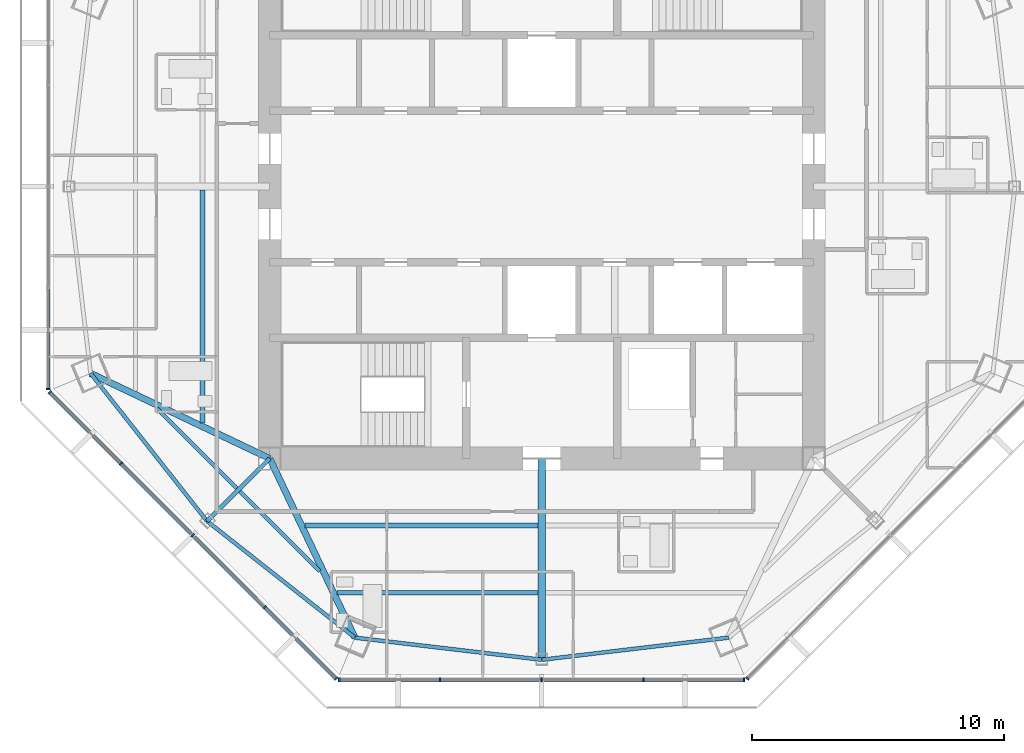
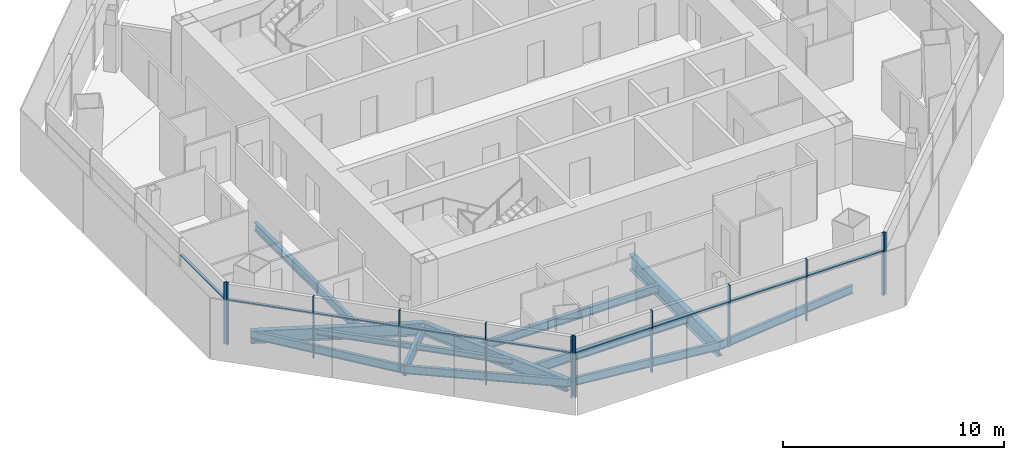
# One storey, part 2 of 15: 21 members, 13 beams, 4 elements without a shape of their own.
"""IFC4 building model written with IfcOpenShell, lengths in metres."""

from ifc_helpers import new_model, si_unit, direction, frame, origin, origin_2d, place, context, subcontext, project, spatial, rectangle, i_section, extrude, source, transform, mapped, material, material_profile, profile_set, type_object, type_shapes, element, aggregate, save


model = new_model("IFC4")

# Units and contexts
model_context = context("Model", 3, precision=1e-05, world=origin(), true_north=direction((0.0, 1.0)))
body_context = subcontext(model_context, "Body", "Model", "MODEL_VIEW")
ifc_project = project(units=[si_unit("LENGTHUNIT", "METRE"), si_unit("AREAUNIT", "SQUARE_METRE"), si_unit("VOLUMEUNIT", "CUBIC_METRE"), si_unit("PLANEANGLEUNIT", "RADIAN"), si_unit("MASSUNIT", "GRAM", prefix="KILO")], contexts=[model_context])

# Site, building, storey
site_placement = place(None, origin())
site = spatial("IfcSite", under=ifc_project, at=site_placement, CompositionType="ELEMENT")
building_placement = place(site_placement, origin())
building = spatial("IfcBuilding", under=site, at=building_placement, Name="Mashrafa Tower", CompositionType="ELEMENT")
storey_placement = place(building_placement, frame((0.0, 0.0, 298.0)))
storey = spatial("IfcBuildingStorey", under=building, at=storey_placement, Name="L73", CompositionType="ELEMENT", Elevation=298.0)

# Beams
ifc_material_1 = material(Name="Steel ASTM A992", Category="steel")
ifc_material_profile_1 = material_profile(ifc_material_1, i_section(OverallWidth=0.164794921875, OverallDepth=0.309814453125, WebThickness=0.005859375, FlangeThickness=0.009765625, FilletRadius=0.007568359375, at=origin_2d()), Name="W12X26")
ifc_profile_set_1 = profile_set([ifc_material_profile_1], Name="Steel ASTM A992")
beam_type_1 = type_object("IfcBeamType", Name="Beam W12X26", PredefinedType="BEAM", material=ifc_profile_set_1)
for number, where, z_axis, x_axis, name in (
    (1, (-12.1064453125, -11.98046875, -0.35498046875), (-0.707079486616, 0.707134074703, 0.0), (-0.707134074703, -0.707079486616, 0.0), "Floor beam L73 006"),
    (2, (-8.81787109375, -15.268798828125, -0.35498046875), (-0.707134074703, 0.707079486616, 0.0), (-0.707079486616, -0.707134074703, 0.0), "Floor beam L73 009"),
):
    element("IfcBeam", number, at=place(storey_placement, frame(where, z_axis=z_axis, x_axis=x_axis)), inside=storey, type_object=beam_type_1, Name=name, PredefinedType="BEAM", context=body_context, shape_type="SweptSolid", body=[
        extrude(i_section(OverallWidth=0.164794921875, OverallDepth=0.309814453125, WebThickness=0.005859375, FlangeThickness=0.009765625, FilletRadius=0.007568359375, at=origin_2d()), origin(), (0.0, 0.0, 1.0), 4.472412109375),
    ])
ifc_material_2 = material(Name="Steel ASTM A992", Category="steel")
ifc_material_profile_2 = material_profile(ifc_material_2, i_section(OverallWidth=0.15234375, OverallDepth=0.449462890625, WebThickness=0.007568359375, FlangeThickness=0.0107421875, FilletRadius=0.01025390625, at=origin_2d()), Name="W18X35")
ifc_profile_set_2 = profile_set([ifc_material_profile_2], Name="Steel ASTM A992")
beam_type_2 = type_object("IfcBeamType", Name="Beam W18X35", PredefinedType="BEAM", material=ifc_profile_set_2)
for number, where, z_axis, x_axis, name in (
    (3, (-17.912109375, -7.41943359375, -0.4248046875), (0.619071991885, -0.785334240221, 0.0), (0.785334240221, 0.619071991885, 0.0), "Spandrel beam L73 042"),
    (4, (-13.286865234375, -13.286865234375, -0.4248046875), (0.785334240221, -0.619071991885, 0.0), (0.619071991885, 0.785334240221, 0.0), "Spandrel beam L73 044"),
    (5, (-7.41943359375, -17.912109375, -0.4248046875), (0.993068050855, -0.117540828527, 0.0), (0.117540828527, 0.993068050855, 0.0), "Spandrel beam L73 046"),
    (6, (0.0, -18.790283203125, -0.4248046875), (0.993068050855, 0.117540828527, 0.0), (-0.117540828527, 0.993068050855, 0.0), "Spandrel beam L73 048"),
):
    element("IfcBeam", number, at=place(storey_placement, frame(where, z_axis=z_axis, x_axis=x_axis)), inside=storey, type_object=beam_type_2, Name=name, PredefinedType="BEAM", context=body_context, shape_type="SweptSolid", body=[
        extrude(i_section(OverallWidth=0.15234375, OverallDepth=0.449462890625, WebThickness=0.007568359375, FlangeThickness=0.0107421875, FilletRadius=0.01025390625, at=origin_2d()), origin(), (0.0, 0.0, 1.0), 7.47119140625),
    ])
ifc_material_3 = material(Name="Steel ASTM A992", Category="steel")
ifc_material_profile_3 = material_profile(ifc_material_3, i_section(OverallWidth=0.191162109375, OverallDepth=0.459716796875, WebThickness=0.010009765625, FlangeThickness=0.01611328125, FilletRadius=0.01025390625, at=origin_2d()), Name="W18X55")
ifc_profile_set_3 = profile_set([ifc_material_profile_3], Name="Steel ASTM A992")
beam_type_3 = type_object("IfcBeamType", Name="Beam W18X55", PredefinedType="BEAM", material=ifc_profile_set_3)
for number, where, z_axis, x_axis, name in (
    (7, (-13.46337890625, -9.39208984375, -0.429931640625), (0.0, 1.0, 0.0), (-1.0, 0.0, 0.0), "Floor beam L73 004"),
    (8, (-0.14599609375, -13.46337890625, -0.429931640625), (-1.0, 0.0, 0.0), (0.0, -1.0, 0.0), "Floor beam L73 012"),
):
    element("IfcBeam", number, at=place(storey_placement, frame(where, z_axis=z_axis, x_axis=x_axis)), inside=storey, type_object=beam_type_3, Name=name, PredefinedType="BEAM", context=body_context, shape_type="SweptSolid", body=[
        extrude(i_section(OverallWidth=0.191162109375, OverallDepth=0.459716796875, WebThickness=0.010009765625, FlangeThickness=0.01611328125, FilletRadius=0.01025390625, at=origin_2d()), origin(), (0.0, 0.0, 1.0), 9.24609375),
    ])
ifc_material_4 = material(Name="Steel ASTM A992", Category="steel")
ifc_material_profile_4 = material_profile(ifc_material_4, i_section(OverallWidth=0.165771484375, OverallDepth=0.5283203125, WebThickness=0.009765625, FlangeThickness=0.013671875, FilletRadius=0.012939453125, at=origin_2d()), Name="W21X50")
ifc_profile_set_4 = profile_set([ifc_material_profile_4], Name="Steel ASTM A992")
beam_type_4 = type_object("IfcBeamType", Name="Beam W21X50", PredefinedType="BEAM", material=ifc_profile_set_4)
beam_1_placement = place(storey_placement, frame((-0.14599609375, -16.126953125, -0.464111328125), z_axis=(-1.0, 0.0, 0.0), x_axis=(0.0, -1.0, 0.0)))
element("IfcBeam", 9, at=beam_1_placement, inside=storey, type_object=beam_type_4, Name="Floor beam L73 011", PredefinedType="BEAM", context=body_context, shape_type="SweptSolid", body=[
    extrude(i_section(OverallWidth=0.165771484375, OverallDepth=0.5283203125, WebThickness=0.009765625, FlangeThickness=0.013671875, FilletRadius=0.012939453125, at=origin_2d()), origin(), (0.0, 0.0, 1.0), 7.980224609375),
])
ifc_material_5 = material(Name="Steel ASTM A992", Category="steel")
ifc_material_profile_5 = material_profile(ifc_material_5, i_section(OverallWidth=0.177978515625, OverallDepth=0.599365234375, WebThickness=0.010009765625, FlangeThickness=0.012939453125, FilletRadius=0.012939453125, at=origin_2d()), Name="W24X55")
ifc_profile_set_5 = profile_set([ifc_material_profile_5], Name="Steel ASTM A992")
beam_type_5 = type_object("IfcBeamType", Name="Beam W24X55", PredefinedType="BEAM", material=ifc_profile_set_5)
beam_2_placement = place(storey_placement, frame((-10.800048828125, -10.800048828125, -0.499755859375), z_axis=(-0.707106781187, -0.707106781187, 0.0), x_axis=(0.707106781187, -0.707106781187, 0.0)))
element("IfcBeam", 10, at=beam_2_placement, inside=storey, type_object=beam_type_5, Name="Radial girder L73 026", PredefinedType="BEAM", context=body_context, shape_type="SweptSolid", body=[
    extrude(i_section(OverallWidth=0.177978515625, OverallDepth=0.599365234375, WebThickness=0.010009765625, FlangeThickness=0.012939453125, FilletRadius=0.012939453125, at=origin_2d()), origin(), (0.0, 0.0, 1.0), 3.516845703125),
])
ifc_material_6 = material(Name="Steel ASTM A992", Category="steel")
ifc_material_profile_6 = material_profile(ifc_material_6, i_section(OverallWidth=0.256591796875, OverallDepth=0.693359375, WebThickness=0.014404296875, FlangeThickness=0.023681640625, FilletRadius=0.01513671875, at=origin_2d()), Name="W27X114")
ifc_profile_set_6 = profile_set([ifc_material_profile_6], Name="Steel ASTM A992")
beam_type_6 = type_object("IfcBeamType", Name="Beam W27X114", PredefinedType="BEAM", material=ifc_profile_set_6)
for number, where, z_axis, x_axis, name in (
    (11, (-10.800048828125, -10.800048828125, -0.546630859375), (-0.903160018061, 0.429304066805, 0.0), (-0.429304066805, -0.903160018061, 0.0), "Radial girder L73 025"),
    (12, (-10.800048828125, -10.800048828125, -0.546630859375), (0.429304066805, -0.903160018061, 0.0), (0.903160018061, 0.429304066805, 0.0), "Radial girder L73 027"),
):
    element("IfcBeam", number, at=place(storey_placement, frame(where, z_axis=z_axis, x_axis=x_axis)), inside=storey, type_object=beam_type_6, Name=name, PredefinedType="BEAM", context=body_context, shape_type="SweptSolid", body=[
        extrude(i_section(OverallWidth=0.256591796875, OverallDepth=0.693359375, WebThickness=0.014404296875, FlangeThickness=0.023681640625, FilletRadius=0.01513671875, at=origin_2d()), origin(), (0.0, 0.0, 1.0), 7.874755859375),
    ])
ifc_material_7 = material(Name="Steel ASTM A992", Category="steel")
ifc_material_profile_7 = material_profile(ifc_material_7, i_section(OverallWidth=0.2919921875, OverallDepth=0.8408203125, WebThickness=0.0146484375, FlangeThickness=0.021728515625, FilletRadius=0.017333984375, at=origin_2d()), Name="W33X130")
ifc_profile_set_7 = profile_set([ifc_material_profile_7], Name="Steel ASTM A992")
beam_type_7 = type_object("IfcBeamType", Name="Beam W33X130", PredefinedType="BEAM", material=ifc_profile_set_7)
beam_3_placement = place(storey_placement, frame((0.0, -10.800048828125, -0.620361328125), z_axis=(0.0, -1.0, 0.0), x_axis=(1.0, 0.0, 0.0)))
element("IfcBeam", 13, at=beam_3_placement, inside=storey, type_object=beam_type_7, Name="Radial girder L73 032", PredefinedType="BEAM", context=body_context, shape_type="SweptSolid", body=[
    extrude(i_section(OverallWidth=0.2919921875, OverallDepth=0.8408203125, WebThickness=0.0146484375, FlangeThickness=0.021728515625, FilletRadius=0.017333984375, at=origin_2d()), origin(), (0.0, 0.0, 1.0), 7.990234375),
])

# Curtain wall, member
ifc_material_8 = material(Name="Unitised aluminium curtain wall", Category="aluminium")
curtain_wall_type = type_object("IfcCurtainWallType", Name="Apartment curtain wall, zone 4 CW-D 160 deep", PredefinedType="NOTDEFINED", material=ifc_material_8)
curtain_wall_1_placement = place(storey_placement, origin())
curtain_wall_1 = element("IfcCurtainWall", 14, at=curtain_wall_1_placement, inside=storey, type_object=curtain_wall_type, Name="Apartment curtain wall, zone 4 L73 west", PredefinedType="NOTDEFINED")
ifc_material_9 = material(Name="Extruded aluminium mullion", Category="aluminium")
ifc_material_profile_8 = material_profile(ifc_material_9, rectangle(XDim=0.159912109375, YDim=0.06005859375, at=origin_2d()), Name="Mullion 60x160")
ifc_profile_set_8 = profile_set([ifc_material_profile_8], Name="Extruded aluminium mullion")
member_type_1 = type_object("IfcMemberType", Name="Mullion CW-D 60 x 160", PredefinedType="MULLION", material=ifc_profile_set_8)
shared_shape_1 = source(origin(), body_context, "Body", "SweptSolid", [
    extrude(rectangle(XDim=0.159912109375, YDim=0.06005859375, at=origin_2d()), origin(), (0.0, 0.0, 1.0), 3.39990234375),
])
type_shapes(member_type_1, [shared_shape_1])
member_1_placement = place(storey_placement, frame((-19.584716796875, -8.0390625, 0.0), z_axis=(0.0, 0.0, 1.0), x_axis=(1.0, 0.0, 0.0)))
member_1 = element("IfcMember", 15, at=member_1_placement, type_object=member_type_1, Name="CW-D mullion 5", PredefinedType="MULLION", context=body_context, shape_type="MappedRepresentation", body=[
    mapped(shared_shape_1, transform((0.0, 0.0, 0.0))),
])

# Curtain wall, members
curtain_wall_2_placement = place(storey_placement, origin())
curtain_wall_2 = element("IfcCurtainWall", 16, at=curtain_wall_2_placement, inside=storey, type_object=curtain_wall_type, Name="Apartment curtain wall, zone 4 L73 south-west", PredefinedType="NOTDEFINED")
member_2_placement = place(storey_placement, frame((-19.532958984375, -8.1640625, 0.0), z_axis=(0.0, 0.0, 1.0), x_axis=(0.707106781187, 0.707106781187, 0.0)))
member_2 = element("IfcMember", 17, at=member_2_placement, type_object=member_type_1, Name="CW-D mullion 1", PredefinedType="MULLION", context=body_context, shape_type="MappedRepresentation", body=[
    mapped(shared_shape_1, transform((0.0, 0.0, 0.0))),
])
member_3_placement = place(storey_placement, frame((-16.701416015625, -10.99560546875, 0.0), z_axis=(0.0, 0.0, 1.0), x_axis=(0.707106781187, 0.707106781187, 0.0)))
member_3 = element("IfcMember", 18, at=member_3_placement, type_object=member_type_1, Name="CW-D mullion 2", PredefinedType="MULLION", context=body_context, shape_type="MappedRepresentation", body=[
    mapped(shared_shape_1, transform((0.0, 0.0, 0.0))),
])
member_4_placement = place(storey_placement, frame((-13.848388671875, -13.848388671875, 0.0), z_axis=(0.0, 0.0, 1.0), x_axis=(0.707106781187, 0.707106781187, 0.0)))
member_4 = element("IfcMember", 19, at=member_4_placement, type_object=member_type_1, Name="CW-D mullion 3", PredefinedType="MULLION", context=body_context, shape_type="MappedRepresentation", body=[
    mapped(shared_shape_1, transform((0.0, 0.0, 0.0))),
])
member_5_placement = place(storey_placement, frame((-10.99560546875, -16.701416015625, 0.0), z_axis=(0.0, 0.0, 1.0), x_axis=(0.707106781187, 0.707106781187, 0.0)))
member_5 = element("IfcMember", 20, at=member_5_placement, type_object=member_type_1, Name="CW-D mullion 4", PredefinedType="MULLION", context=body_context, shape_type="MappedRepresentation", body=[
    mapped(shared_shape_1, transform((0.0, 0.0, 0.0))),
])
member_6_placement = place(storey_placement, frame((-8.1640625, -19.532958984375, 0.0), z_axis=(0.0, 0.0, 1.0), x_axis=(0.707106781187, 0.707106781187, 0.0)))
member_6 = element("IfcMember", 21, at=member_6_placement, type_object=member_type_1, Name="CW-D mullion 5", PredefinedType="MULLION", context=body_context, shape_type="MappedRepresentation", body=[
    mapped(shared_shape_1, transform((0.0, 0.0, 0.0))),
])

curtain_wall_3_placement = place(storey_placement, origin())
curtain_wall_3 = element("IfcCurtainWall", 22, at=curtain_wall_3_placement, inside=storey, type_object=curtain_wall_type, Name="Apartment curtain wall, zone 4 L73 south", PredefinedType="NOTDEFINED")
member_7_placement = place(storey_placement, frame((-8.0390625, -19.584716796875, 0.0), z_axis=(0.0, 0.0, 1.0), x_axis=(0.0, 1.0, 0.0)))
member_7 = element("IfcMember", 23, at=member_7_placement, type_object=member_type_1, Name="CW-D mullion 1", PredefinedType="MULLION", context=body_context, shape_type="MappedRepresentation", body=[
    mapped(shared_shape_1, transform((0.0, 0.0, 0.0))),
])
member_8_placement = place(storey_placement, frame((-4.03466796875, -19.584716796875, 0.0), z_axis=(0.0, 0.0, 1.0), x_axis=(0.0, 1.0, 0.0)))
member_8 = element("IfcMember", 24, at=member_8_placement, type_object=member_type_1, Name="CW-D mullion 2", PredefinedType="MULLION", context=body_context, shape_type="MappedRepresentation", body=[
    mapped(shared_shape_1, transform((0.0, 0.0, 0.0))),
])
member_9_placement = place(storey_placement, frame((0.0, -19.584716796875, 0.0), z_axis=(0.0, 0.0, 1.0), x_axis=(0.0, 1.0, 0.0)))
member_9 = element("IfcMember", 25, at=member_9_placement, type_object=member_type_1, Name="CW-D mullion 3", PredefinedType="MULLION", context=body_context, shape_type="MappedRepresentation", body=[
    mapped(shared_shape_1, transform((0.0, 0.0, 0.0))),
])
member_10_placement = place(storey_placement, frame((4.03466796875, -19.584716796875, 0.0), z_axis=(0.0, 0.0, 1.0), x_axis=(0.0, 1.0, 0.0)))
member_10 = element("IfcMember", 26, at=member_10_placement, type_object=member_type_1, Name="CW-D mullion 4", PredefinedType="MULLION", context=body_context, shape_type="MappedRepresentation", body=[
    mapped(shared_shape_1, transform((0.0, 0.0, 0.0))),
])
member_11_placement = place(storey_placement, frame((8.0390625, -19.584716796875, 0.0), z_axis=(0.0, 0.0, 1.0), x_axis=(0.0, 1.0, 0.0)))
member_11 = element("IfcMember", 27, at=member_11_placement, type_object=member_type_1, Name="CW-D mullion 5", PredefinedType="MULLION", context=body_context, shape_type="MappedRepresentation", body=[
    mapped(shared_shape_1, transform((0.0, 0.0, 0.0))),
])

# Curtain wall, member
curtain_wall_4_placement = place(storey_placement, origin())
curtain_wall_4 = element("IfcCurtainWall", 28, at=curtain_wall_4_placement, inside=storey, type_object=curtain_wall_type, Name="Apartment curtain wall, zone 4 L73 south-east", PredefinedType="NOTDEFINED")
member_12_placement = place(storey_placement, frame((8.1640625, -19.532958984375, 0.0), z_axis=(0.0, 0.0, 1.0), x_axis=(-0.707106781187, 0.707106781187, 0.0)))
member_12 = element("IfcMember", 29, at=member_12_placement, type_object=member_type_1, Name="CW-D mullion 1", PredefinedType="MULLION", context=body_context, shape_type="MappedRepresentation", body=[
    mapped(shared_shape_1, transform((0.0, 0.0, 0.0))),
])
aggregate(curtain_wall_4, [member_12])

# Member
ifc_material_10 = material(Name="Extruded aluminium transom", Category="aluminium")
ifc_material_profile_9 = material_profile(ifc_material_10, rectangle(XDim=0.1279296875, YDim=0.074951171875, at=origin_2d()), Name="Transom 75x128")
ifc_profile_set_9 = profile_set([ifc_material_profile_9], Name="Extruded aluminium transom")
member_type_2 = type_object("IfcMemberType", Name="Transom CW-D 75 x 128", PredefinedType="MULLION", material=ifc_profile_set_9)
shared_shape_2 = source(origin(), body_context, "Body", "SweptSolid", [
    extrude(rectangle(XDim=0.1279296875, YDim=0.074951171875, at=origin_2d()), origin(), (0.0, 0.0, 1.0), 3.944580078125),
])
member_13_placement = place(storey_placement, frame((-19.584716796875, -4.064453125, 2.5), z_axis=(0.0, -1.0, 0.0), x_axis=(1.0, 0.0, 0.0)))
member_13 = element("IfcMember", 30, at=member_13_placement, type_object=member_type_2, Name="CW-D transom 4", PredefinedType="MULLION", context=body_context, shape_type="MappedRepresentation", body=[
    mapped(shared_shape_2, transform((0.0, 0.0, 0.0))),
])

aggregate(curtain_wall_1, [member_1, member_13])

member_14_placement = place(storey_placement, frame((-8.009033203125, -19.584716796875, 2.5), z_axis=(1.0, 0.0, 0.0), x_axis=(0.0, 1.0, 0.0)))
member_14 = element("IfcMember", 31, at=member_14_placement, type_object=member_type_2, Name="CW-D transom 1", PredefinedType="MULLION", context=body_context, shape_type="MappedRepresentation", body=[
    mapped(shared_shape_2, transform((0.0, 0.0, 0.0))),
])

member_15_placement = place(storey_placement, frame((4.064453125, -19.584716796875, 2.5), z_axis=(1.0, 0.0, 0.0), x_axis=(0.0, 1.0, 0.0)))
member_15 = element("IfcMember", 32, at=member_15_placement, type_object=member_type_2, Name="CW-D transom 4", PredefinedType="MULLION", context=body_context, shape_type="MappedRepresentation", body=[
    mapped(shared_shape_2, transform((0.0, 0.0, 0.0))),
])

shared_shape_3 = source(origin(), body_context, "Body", "SweptSolid", [
    extrude(rectangle(XDim=0.1279296875, YDim=0.074951171875, at=origin_2d()), origin(), (0.0, 0.0, 1.0), 3.974609375),
])
member_16_placement = place(storey_placement, frame((-16.68017578125, -11.016845703125, 2.5), z_axis=(0.707106781187, -0.707106781187, 0.0), x_axis=(0.707106781187, 0.707106781187, 0.0)))
member_16 = element("IfcMember", 33, at=member_16_placement, type_object=member_type_2, Name="CW-D transom 2", PredefinedType="MULLION", context=body_context, shape_type="MappedRepresentation", body=[
    mapped(shared_shape_3, transform((0.0, 0.0, 0.0))),
])

member_17_placement = place(storey_placement, frame((-13.827392578125, -13.86962890625, 2.5), z_axis=(0.707106781187, -0.707106781187, 0.0), x_axis=(0.707106781187, 0.707106781187, 0.0)))
member_17 = element("IfcMember", 34, at=member_17_placement, type_object=member_type_2, Name="CW-D transom 3", PredefinedType="MULLION", context=body_context, shape_type="MappedRepresentation", body=[
    mapped(shared_shape_3, transform((0.0, 0.0, 0.0))),
])

member_18_placement = place(storey_placement, frame((-4.004638671875, -19.584716796875, 2.5), z_axis=(1.0, 0.0, 0.0), x_axis=(0.0, 1.0, 0.0)))
member_18 = element("IfcMember", 35, at=member_18_placement, type_object=member_type_2, Name="CW-D transom 2", PredefinedType="MULLION", context=body_context, shape_type="MappedRepresentation", body=[
    mapped(shared_shape_3, transform((0.0, 0.0, 0.0))),
])

member_19_placement = place(storey_placement, frame((0.030029296875, -19.584716796875, 2.5), z_axis=(1.0, 0.0, 0.0), x_axis=(0.0, 1.0, 0.0)))
member_19 = element("IfcMember", 36, at=member_19_placement, type_object=member_type_2, Name="CW-D transom 3", PredefinedType="MULLION", context=body_context, shape_type="MappedRepresentation", body=[
    mapped(shared_shape_3, transform((0.0, 0.0, 0.0))),
])

aggregate(curtain_wall_3, [member_7, member_8, member_9, member_10, member_11, member_14, member_18, member_19, member_15])

shared_shape_4 = source(origin(), body_context, "Body", "SweptSolid", [
    extrude(rectangle(XDim=0.1279296875, YDim=0.074951171875, at=origin_2d()), origin(), (0.0, 0.0, 1.0), 3.9443359375),
])
type_shapes(member_type_2, [shared_shape_2, shared_shape_3, shared_shape_4])
member_20_placement = place(storey_placement, frame((-19.51171875, -8.185302734375, 2.5), z_axis=(0.707106781187, -0.707106781187, 0.0), x_axis=(0.707106781187, 0.707106781187, 0.0)))
member_20 = element("IfcMember", 37, at=member_20_placement, type_object=member_type_2, Name="CW-D transom 1", PredefinedType="MULLION", context=body_context, shape_type="MappedRepresentation", body=[
    mapped(shared_shape_4, transform((0.0, 0.0, 0.0))),
])

member_21_placement = place(storey_placement, frame((-10.974365234375, -16.72265625, 2.5), z_axis=(0.707106781187, -0.707106781187, 0.0), x_axis=(0.707106781187, 0.707106781187, 0.0)))
member_21 = element("IfcMember", 38, at=member_21_placement, type_object=member_type_2, Name="CW-D transom 4", PredefinedType="MULLION", context=body_context, shape_type="MappedRepresentation", body=[
    mapped(shared_shape_4, transform((0.0, 0.0, 0.0))),
])

aggregate(curtain_wall_2, [member_2, member_3, member_4, member_5, member_6, member_20, member_16, member_17, member_21])

save(model, "model.ifc")
